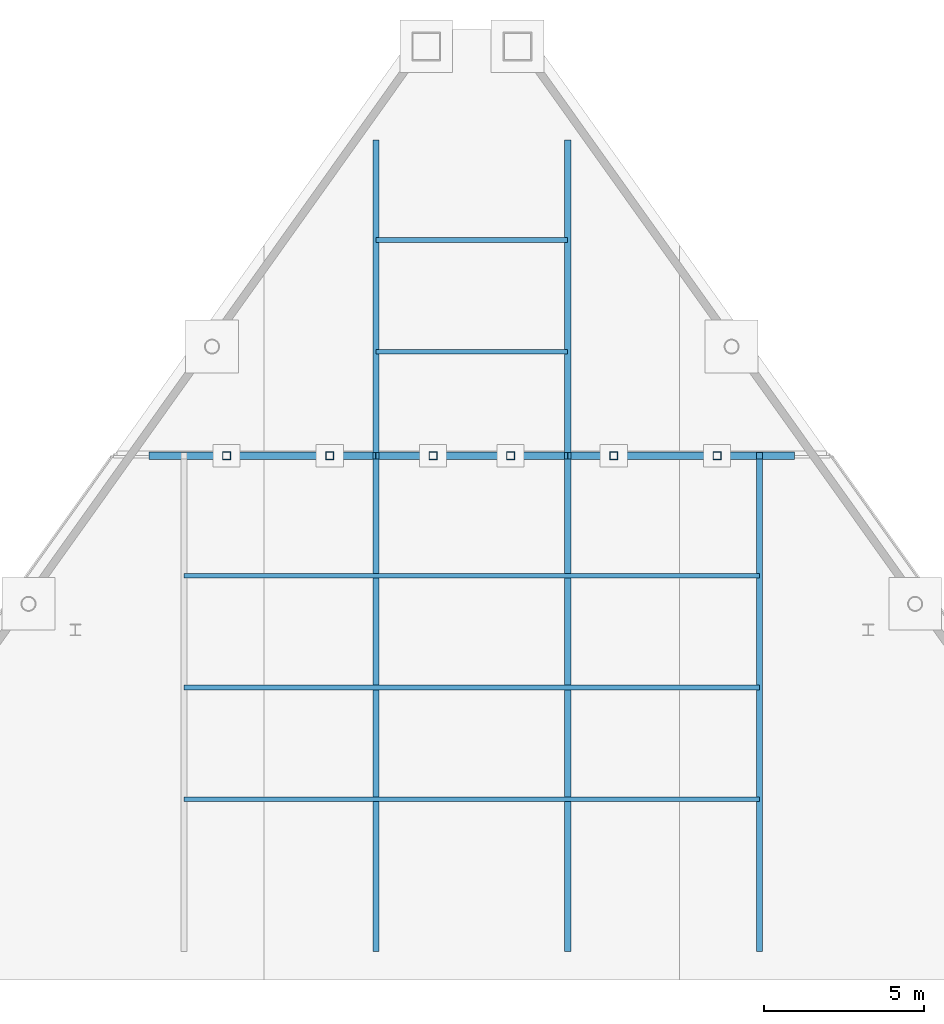
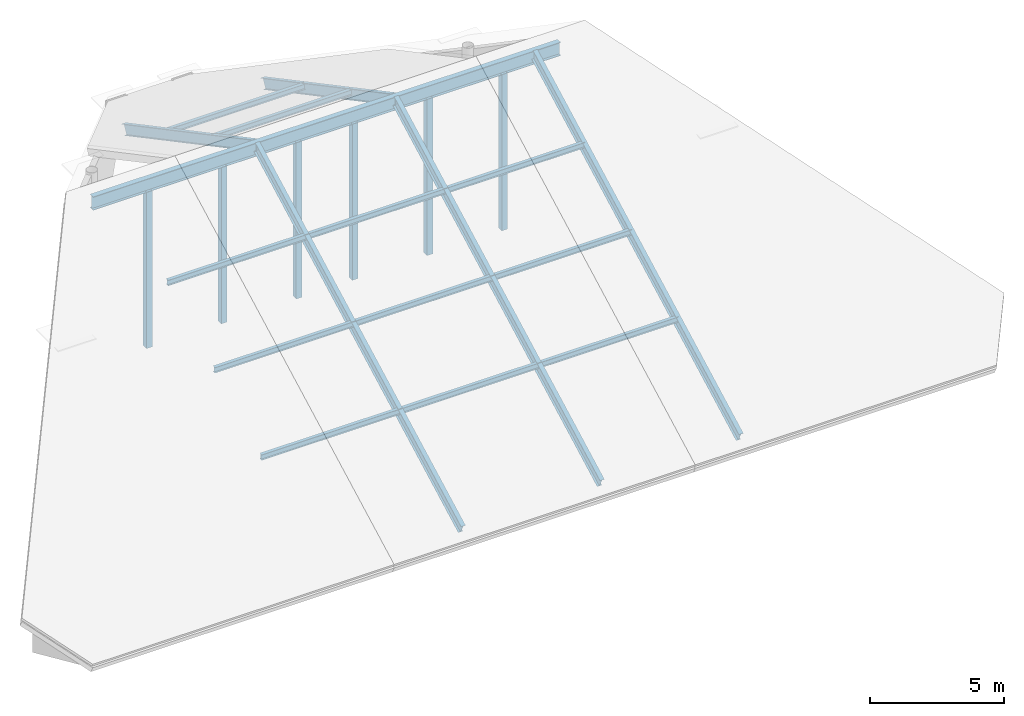
# One storey, part 2 of 3: 11 members, 6 beams.
"""IFC4 building model written with IfcOpenShell, lengths in metres."""

import ifcopenshell
import ifcopenshell.guid

model = None  # the IFC model being written
_history = None  # IfcOwnerHistory: only IFC2X3 demands one
_inside = {}  # id of a spatial element -> (the spatial element, [elements in it])
_under = {}  # id of a project, library or spatial element -> (it, [spatial elements below it])
_declared = {}  # id of a project -> (the project, [libraries it declares])
_typed = {}  # id of a type object -> (the type object, [elements of that type])
_made_of = {}  # id of a material, layer set ... -> (it, [elements and type objects made of it])


def new_model(schema):
    """Start an empty IFC model of exactly this schema.

    Asked for "IFC4X3", IfcOpenShell would pick the latest addendum, in which some entities
    have other attributes; the version numbers below select the first issue.
    IFC2X3 requires an IfcOwnerHistory on every rooted entity: one is made here for all.
    """
    global model, _history
    if schema == "IFC4X3":
        model = ifcopenshell.file(schema_version=(4, 3, 0, 0))
    else:
        model = ifcopenshell.file(schema=schema)
    _inside.clear()
    _under.clear()
    _declared.clear()
    _typed.clear()
    _made_of.clear()
    _history = None
    if model.schema == "IFC2X3":
        org = make("IfcOrganization", Name="unknown")
        user = make(
            "IfcPersonAndOrganization",
            ThePerson=make("IfcPerson", FamilyName="unknown"),
            TheOrganization=org,
        )
        app = make(
            "IfcApplication",
            ApplicationDeveloper=org,
            Version="unknown",
            ApplicationFullName="unknown",
            ApplicationIdentifier="unknown",
        )
        _history = make(
            "IfcOwnerHistory",
            OwningUser=user,
            OwningApplication=app,
            ChangeAction="ADDED",
            CreationDate=0,
        )
    return model


def make(cls, **values):
    """One entity of the class cls with the attributes given. An attribute that is None is left unset."""
    return model.create_entity(
        cls, **{name: value for name, value in values.items() if value is not None}
    )


def rooted(cls, **values):
    """An entity with a GlobalId (a new one), such as an element, a storey or a relation."""
    return make(cls, GlobalId=ifcopenshell.guid.new(), OwnerHistory=_history, **values)


def si_unit(unit_type, name, prefix=None):
    """IfcSIUnit, for example si_unit("LENGTHUNIT", "METRE", prefix="MILLI")."""
    return make("IfcSIUnit", UnitType=unit_type, Prefix=prefix, Name=name)


def assignment(units):
    """IfcUnitAssignment: the units of a project."""
    return None if units is None else make("IfcUnitAssignment", Units=units)


def point(xyz):
    """IfcCartesianPoint."""
    return None if xyz is None else make("IfcCartesianPoint", Coordinates=xyz)


def direction(xyz):
    """IfcDirection."""
    return None if xyz is None else make("IfcDirection", DirectionRatios=xyz)


def frame(location, z_axis=None, x_axis=None):
    """IfcAxis2Placement3D, a coordinate frame: its origin and axes. An axis left out is left unset."""
    return make(
        "IfcAxis2Placement3D",
        Location=point(location),
        Axis=direction(z_axis),
        RefDirection=direction(x_axis),
    )


def frame_2d(location, x_axis=None):
    """IfcAxis2Placement2D, a coordinate frame in the plane: its origin and x axis."""
    return make(
        "IfcAxis2Placement2D", Location=point(location), RefDirection=direction(x_axis)
    )


def origin():
    """The frame at (0, 0, 0) with its axes left unset."""
    return frame((0.0, 0.0, 0.0))


def origin_2d():
    """The frame at (0, 0) in the plane with its x axis left unset."""
    return frame_2d((0.0, 0.0))


def place(relative_to, where):
    """IfcLocalPlacement: puts the frame where relative to a parent placement (None: the world)."""
    return make(
        "IfcLocalPlacement", PlacementRelTo=relative_to, RelativePlacement=where
    )


def context(
    kind, dimensions, precision=None, world=None, true_north=None, identifier=None
):
    """IfcGeometricRepresentationContext, for example the 3D "Model" context."""
    return make(
        "IfcGeometricRepresentationContext",
        ContextIdentifier=identifier,
        ContextType=kind,
        CoordinateSpaceDimension=dimensions,
        Precision=precision,
        WorldCoordinateSystem=world,
        TrueNorth=true_north,
    )


def subcontext(parent, identifier, kind, view, scale=None):
    """IfcGeometricRepresentationSubContext, for example "Body" below "Model"."""
    return make(
        "IfcGeometricRepresentationSubContext",
        ContextIdentifier=identifier,
        ContextType=kind,
        ParentContext=parent,
        TargetScale=scale,
        TargetView=view,
    )


def project(units=None, contexts=None):
    """IfcProject with its units and contexts."""
    return rooted(
        "IfcProject",
        Name="project",
        RepresentationContexts=contexts,
        UnitsInContext=assignment(units),
    )


def spatial(cls, under=None, at=None, **own):
    """A site, building, storey or space (cls), placed at a placement, below another one or the project."""
    s = rooted(cls, ObjectPlacement=at, **own)
    if under is not None:
        _under.setdefault(under.id(), (under, []))[1].append(s)
    return s


def profile(cls, at=None, kind="AREA", **sizes):
    """A parametric profile (cls). Its sizes go by their IFC names, for example OverallWidth=200.0."""
    return make(cls, ProfileType=kind, Position=at, **sizes)


def hollow_rectangle(**sizes):
    """IfcRectangleHollowProfileDef."""
    return profile("IfcRectangleHollowProfileDef", **sizes)


def i_section(**sizes):
    """IfcIShapeProfileDef."""
    return profile("IfcIShapeProfileDef", **sizes)


def extrude(swept, where, along, depth):
    """IfcExtrudedAreaSolid: the profile swept, set in the frame where, extruded along a direction by depth."""
    return make(
        "IfcExtrudedAreaSolid",
        SweptArea=swept,
        Position=where,
        ExtrudedDirection=direction(along),
        Depth=depth,
    )


def shape(context_of_items, identifier, shape_type, items):
    """IfcShapeRepresentation: the items that make up one representation, for example the "Body"."""
    return make(
        "IfcShapeRepresentation",
        ContextOfItems=context_of_items,
        RepresentationIdentifier=identifier,
        RepresentationType=shape_type,
        Items=items,
    )


def material(Name=None, Category=None):
    """IfcMaterial."""
    return make("IfcMaterial", Name=Name, Category=Category)


def material_profile(
    of_material, cross_section, Name=None, Category=None, Priority=None
):
    """IfcMaterialProfile: a cross section and its material."""
    return make(
        "IfcMaterialProfile",
        Name=Name,
        Material=of_material,
        Profile=cross_section,
        Priority=Priority,
        Category=Category,
    )


def profile_set(profiles, Name=None, composite=None):
    """IfcMaterialProfileSet."""
    return make(
        "IfcMaterialProfileSet",
        Name=Name,
        MaterialProfiles=profiles,
        CompositeProfile=composite,
    )


def made_of(thing, what):
    """Note that an element or type object is made of a material, layer set ...; save() writes the relation."""
    if what is not None:
        _made_of.setdefault(what.id(), (what, []))[1].append(thing)
    return thing


def type_object(cls, material=None, **own):
    """A type object (cls), such as IfcWallType, which elements share."""
    return made_of(rooted(cls, **own), material)


def element(
    cls,
    number,
    at=None,
    inside=None,
    cuts=None,
    type_object=None,
    material=None,
    context=None,
    identifier="Body",
    shape_type=None,
    held_by="IfcProductDefinitionShape",
    body=None,
    shapes=None,
    **own,
):
    """One element of the class cls, such as IfcWall. Its Tag is "e" and its number.

    at: its placement. inside: the storey or other place that contains it. cuts: it is an
    opening in that element (IfcRelVoidsElement). A single representation is given by context,
    identifier, shape_type and body (its items); several are given by shapes. held_by: the class
    of the entity that holds the representations. save() writes the other relations.
    """
    e = rooted(cls, Tag="e%d" % number, ObjectPlacement=at, **own)
    if body is not None:
        shapes = [shape(context, identifier, shape_type, body)]
    if shapes is not None:
        e.Representation = make(held_by, Representations=shapes)
    if inside is not None:
        _inside.setdefault(inside.id(), (inside, []))[1].append(e)
    if cuts is not None:
        rooted(
            "IfcRelVoidsElement", RelatingBuildingElement=cuts, RelatedOpeningElement=e
        )
    if type_object is not None:
        _typed.setdefault(type_object.id(), (type_object, []))[1].append(e)
    return made_of(e, material)


def aggregate(whole, parts):
    """IfcRelAggregates: a whole, such as a stair, and the parts it consists of."""
    return rooted("IfcRelAggregates", RelatingObject=whole, RelatedObjects=parts)


def save(model, path):
    """Write the relations noted so far, then the file.

    IfcRelAggregates (storeys below a building ...), IfcRelContainedInSpatialStructure (elements
    in a storey), IfcRelDefinesByType, IfcRelAssociatesMaterial and IfcRelDeclares: one each for
    every whole, place, type object, material and project.
    """
    for whole, parts in _under.values():
        aggregate(whole, parts)
    for where, things in _inside.values():
        rooted(
            "IfcRelContainedInSpatialStructure",
            RelatedElements=things,
            RelatingStructure=where,
        )
    for kind, things in _typed.values():
        rooted("IfcRelDefinesByType", RelatedObjects=things, RelatingType=kind)
    for what, things in _made_of.values():
        rooted("IfcRelAssociatesMaterial", RelatedObjects=things, RelatingMaterial=what)
    for by, libraries in _declared.values():
        rooted("IfcRelDeclares", RelatingContext=by, RelatedDefinitions=libraries)
    model.write(path)


model = new_model("IFC4")

# Units and contexts
model_context = context("Model", 3, precision=1e-05, world=origin(), true_north=direction((0.0, 1.0)))
body_context = subcontext(model_context, "Body", "Model", "MODEL_VIEW")
ifc_project = project(units=[si_unit("LENGTHUNIT", "METRE"), si_unit("AREAUNIT", "SQUARE_METRE"), si_unit("VOLUMEUNIT", "CUBIC_METRE"), si_unit("PLANEANGLEUNIT", "RADIAN"), si_unit("MASSUNIT", "GRAM", prefix="KILO")], contexts=[model_context])

# Site, building, storey
site_placement = place(None, origin())
site = spatial("IfcSite", under=ifc_project, at=site_placement, CompositionType="ELEMENT")
building_placement = place(site_placement, origin())
building = spatial("IfcBuilding", under=site, at=building_placement, Name="Talgorran Terracotta Tower", CompositionType="ELEMENT")
storey_placement = place(building_placement, frame((0.0, 0.0, 310.199951171875)))
storey = spatial("IfcBuildingStorey", under=building, at=storey_placement, Name="RF", CompositionType="ELEMENT", Elevation=310.199951171875)

# Beams
ifc_material_1 = material(Name="Steel S355 (300PLUS)", Category="steel")
ifc_material_profile_1 = material_profile(ifc_material_1, i_section(OverallWidth=0.19140625, OverallDepth=0.46044921875, WebThickness=0.010009765625, FlangeThickness=0.01611328125, at=origin_2d()), Name="460UB82.1")
ifc_profile_set_1 = profile_set([ifc_material_profile_1], Name="Steel S355 (300PLUS)")
beam_type_1 = type_object("IfcBeamType", Name="BM_RF_460UB82", PredefinedType="BEAM", material=ifc_profile_set_1)
beam_1_placement = place(storey_placement, frame((-3.0, 1.25, 7.219970703125), z_axis=(0.0, 0.882950596812, -0.469465913129), x_axis=(-1.0, 0.0, 0.0)))
element("IfcBeam", 1, at=beam_1_placement, inside=storey, type_object=beam_type_1, Name="Sloped Crown Rafter N2", PredefinedType="BEAM", context=body_context, shape_type="SweptSolid", body=[
    extrude(i_section(OverallWidth=0.19140625, OverallDepth=0.46044921875, WebThickness=0.010009765625, FlangeThickness=0.01611328125, at=origin_2d()), origin(), (0.0, 0.0, 1.0), 11.068603515625),
])
beam_2_placement = place(storey_placement, frame((-3.0, 1.25, 7.219970703125), z_axis=(0.0, -0.882948564922, -0.469469734597), x_axis=(1.0, 0.0, 0.0)))
element("IfcBeam", 2, at=beam_2_placement, inside=storey, type_object=beam_type_1, Name="Sloped Crown Rafter S2", PredefinedType="BEAM", context=body_context, shape_type="SweptSolid", body=[
    extrude(i_section(OverallWidth=0.19140625, OverallDepth=0.46044921875, WebThickness=0.010009765625, FlangeThickness=0.01611328125, at=origin_2d()), origin(), (0.0, 0.0, 1.0), 17.44140625),
])
beam_3_placement = place(storey_placement, frame((3.0, 1.25, 7.219970703125), z_axis=(0.0, 0.882950596812, -0.469465913129), x_axis=(-1.0, 0.0, 0.0)))
element("IfcBeam", 3, at=beam_3_placement, inside=storey, type_object=beam_type_1, Name="Sloped Crown Rafter N3", PredefinedType="BEAM", context=body_context, shape_type="SweptSolid", body=[
    extrude(i_section(OverallWidth=0.19140625, OverallDepth=0.46044921875, WebThickness=0.010009765625, FlangeThickness=0.01611328125, at=origin_2d()), origin(), (0.0, 0.0, 1.0), 11.068603515625),
])
for number, where, z_axis, x_axis, name in (
    (4, (3.0, 1.25, 7.219970703125), (0.0, -0.882948564922, -0.469469734597), (1.0, 0.0, 0.0), "Sloped Crown Rafter S3"),
    (5, (9.0, 1.25, 7.219970703125), (0.0, -0.882948564922, -0.469469734597), (1.0, 0.0, 0.0), "Sloped Crown Rafter S4"),
):
    element("IfcBeam", number, at=place(storey_placement, frame(where, z_axis=z_axis, x_axis=x_axis)), inside=storey, type_object=beam_type_1, Name=name, PredefinedType="BEAM", context=body_context, shape_type="SweptSolid", body=[
        extrude(i_section(OverallWidth=0.19140625, OverallDepth=0.46044921875, WebThickness=0.010009765625, FlangeThickness=0.01611328125, at=origin_2d()), origin(), (0.0, 0.0, 1.0), 17.44140625),
    ])
ifc_material_profile_2 = material_profile(ifc_material_1, i_section(OverallWidth=0.22900390625, OverallDepth=0.611572265625, WebThickness=0.011962890625, FlangeThickness=0.01953125, at=origin_2d()), Name="610UB125")
ifc_profile_set_2 = profile_set([ifc_material_profile_2], Name="Steel S355 (300PLUS)")
beam_type_2 = type_object("IfcBeamType", Name="BM_SP_610UB125", PredefinedType="SPANDREL", material=ifc_profile_set_2)
beam_4_placement = place(storey_placement, frame((-10.0947265625, 1.25, 7.094482421875), z_axis=(1.0, 0.0, 0.0), x_axis=(0.0, 1.0, 0.0)))
element("IfcBeam", 6, at=beam_4_placement, inside=storey, type_object=beam_type_2, Name="Sloped Crown Apex Ridge Girder", PredefinedType="SPANDREL", context=body_context, shape_type="SweptSolid", body=[
    extrude(i_section(OverallWidth=0.22900390625, OverallDepth=0.611572265625, WebThickness=0.011962890625, FlangeThickness=0.01953125, at=origin_2d()), origin(), (0.0, 0.0, 1.0), 20.189453125),
])

# Members
ifc_material_profile_3 = material_profile(ifc_material_1, i_section(OverallWidth=0.14599609375, OverallDepth=0.251708984375, WebThickness=0.006103515625, FlangeThickness=0.008544921875, at=origin_2d()), Name="250UB31.4")
ifc_profile_set_3 = profile_set([ifc_material_profile_3], Name="Steel S355 (300PLUS)")
member_type_1 = type_object("IfcMemberType", Name="MB_CROWN_PURLIN", PredefinedType="PURLIN", material=ifc_profile_set_3)
for number, where, z_axis, x_axis, name in (
    (7, (-9.0, -9.5, 1.610595703125), (1.0, 0.0, 0.0), (0.0, 1.0, 0.0), "Sloped Crown Roof Purlin PR-1"),
    (8, (-9.0, -6.0, 3.471435546875), (1.0, 0.0, 0.0), (0.0, 1.0, 0.0), "Sloped Crown Roof Purlin PR-2"),
    (9, (-9.0, -2.5, 5.33251953125), (1.0, 0.0, 0.0), (0.0, 1.0, 0.0), "Sloped Crown Roof Purlin PR-3"),
):
    element("IfcMember", number, at=place(storey_placement, frame(where, z_axis=z_axis, x_axis=x_axis)), inside=storey, type_object=member_type_1, Name=name, PredefinedType="PURLIN", context=body_context, shape_type="SweptSolid", body=[
        extrude(i_section(OverallWidth=0.14599609375, OverallDepth=0.251708984375, WebThickness=0.006103515625, FlangeThickness=0.008544921875, at=origin_2d()), origin(), (0.0, 0.0, 1.0), 18.0),
    ])
for number, where, z_axis, x_axis, name in (
    (10, (-3.0, 4.5, 5.598388671875), (1.0, 0.0, 0.0), (0.0, 1.0, 0.0), "Sloped Crown Roof Purlin PR-4"),
    (11, (-3.0, 8.0, 3.737548828125), (1.0, 0.0, 0.0), (0.0, 1.0, 0.0), "Sloped Crown Roof Purlin PR-5"),
):
    element("IfcMember", number, at=place(storey_placement, frame(where, z_axis=z_axis, x_axis=x_axis)), inside=storey, type_object=member_type_1, Name=name, PredefinedType="PURLIN", context=body_context, shape_type="SweptSolid", body=[
        extrude(i_section(OverallWidth=0.14599609375, OverallDepth=0.251708984375, WebThickness=0.006103515625, FlangeThickness=0.008544921875, at=origin_2d()), origin(), (0.0, 0.0, 1.0), 6.0),
    ])
ifc_material_2 = material(Name="Steel S350 (C350L0)", Category="steel")
ifc_material_profile_4 = material_profile(ifc_material_2, hollow_rectangle(XDim=0.25, YDim=0.25, WallThickness=0.012451171875, at=origin_2d()), Name="SHS250X250X12.5")
ifc_profile_set_4 = profile_set([ifc_material_profile_4], Name="Steel S350 (C350L0)")
member_type_2 = type_object("IfcMemberType", Name="MB_CROWN_STRUT", PredefinedType="STRUT", material=ifc_profile_set_4)
for number, where, z_axis, x_axis, name in (
    (12, (-7.672119140625, 1.25, -0.320068359375), (0.0, 0.0, 1.0), (1.0, 0.0, 0.0), "Crown Ridge Support Strut 1"),
    (13, (-4.441650390625, 1.25, -0.320068359375), (0.0, 0.0, 1.0), (1.0, 0.0, 0.0), "Crown Ridge Support Strut 2"),
    (14, (-1.21142578125, 1.25, -0.320068359375), (0.0, 0.0, 1.0), (1.0, 0.0, 0.0), "Crown Ridge Support Strut 3"),
    (15, (1.21142578125, 1.25, -0.320068359375), (0.0, 0.0, 1.0), (1.0, 0.0, 0.0), "Crown Ridge Support Strut 4"),
    (16, (4.441650390625, 1.25, -0.320068359375), (0.0, 0.0, 1.0), (1.0, 0.0, 0.0), "Crown Ridge Support Strut 5"),
    (17, (7.672119140625, 1.25, -0.320068359375), (0.0, 0.0, 1.0), (1.0, 0.0, 0.0), "Crown Ridge Support Strut 6"),
):
    element("IfcMember", number, at=place(storey_placement, frame(where, z_axis=z_axis, x_axis=x_axis)), inside=storey, type_object=member_type_2, Name=name, PredefinedType="STRUT", context=body_context, shape_type="SweptSolid", body=[
        extrude(hollow_rectangle(XDim=0.25, YDim=0.25, WallThickness=0.012451171875, at=origin_2d()), origin(), (0.0, 0.0, 1.0), 7.128662109375),
    ])

save(model, "model.ifc")
